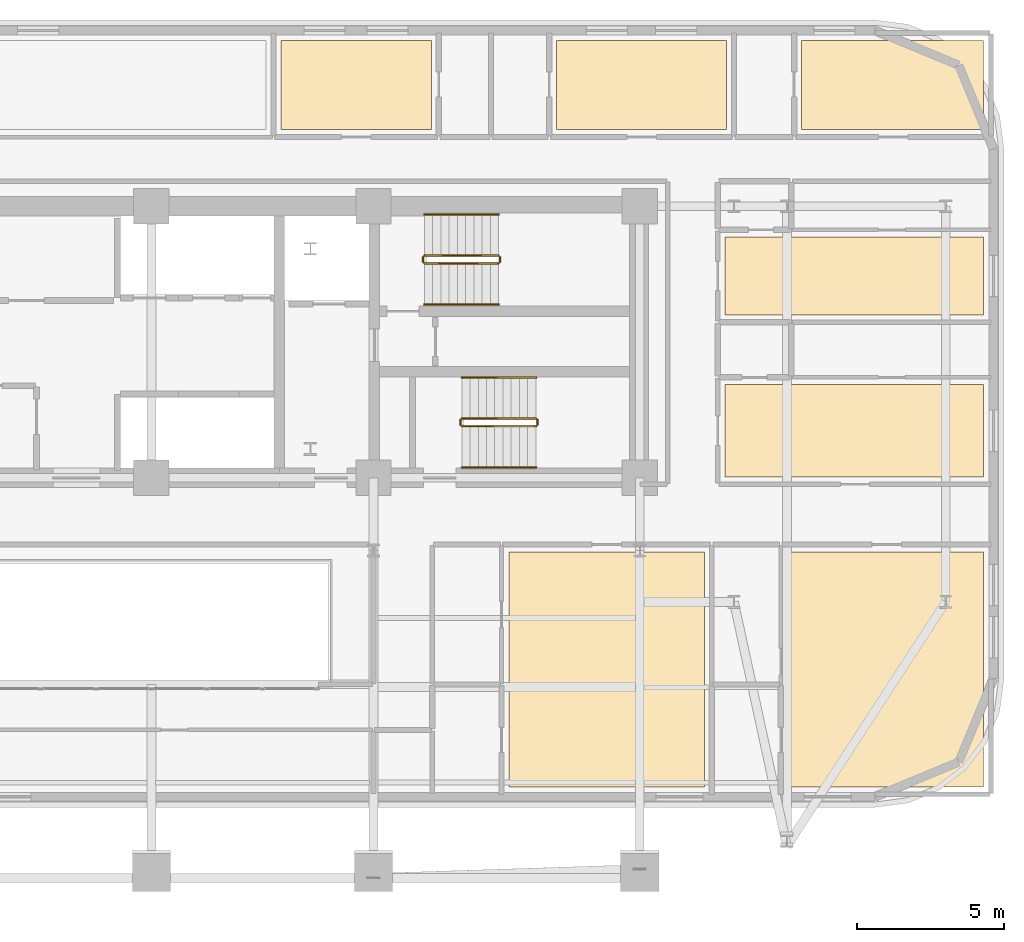
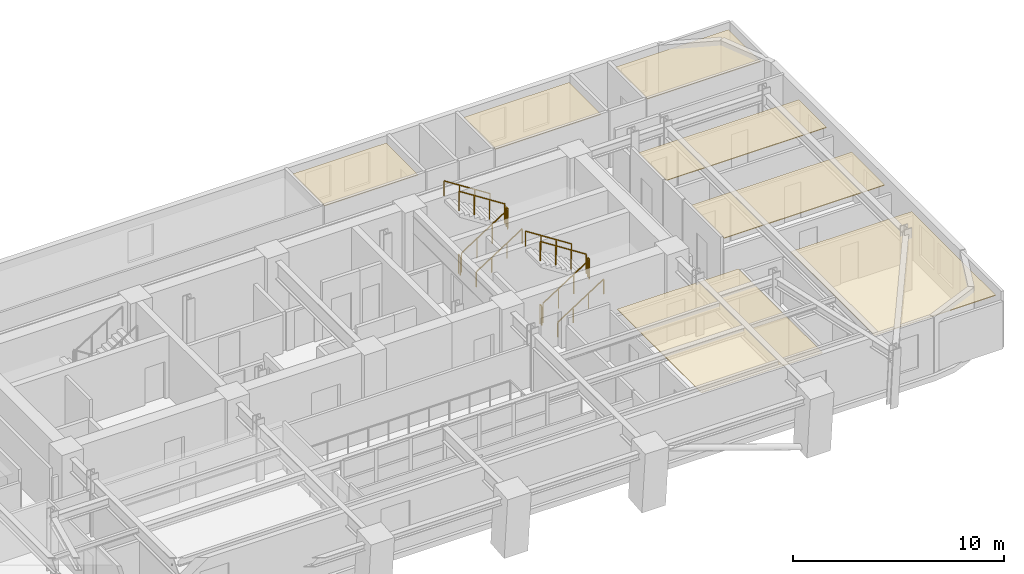
# One storey, part 14 of 14: 12 railings, 7 coverings.
"""IFC4 building model written with IfcOpenShell, lengths in metres."""

from ifc_helpers import new_model, si_unit, direction, frame, origin, origin_2d, place, context, subcontext, project, spatial, polyline, rectangle, outline, extrude, material, layer, layer_set, type_object, element, save


model = new_model("IFC4")

# Units and contexts
model_context = context("Model", 3, precision=1e-05, world=origin(), true_north=direction((0.0, 1.0)))
body_context = subcontext(model_context, "Body", "Model", "MODEL_VIEW")
ifc_project = project(units=[si_unit("LENGTHUNIT", "METRE"), si_unit("AREAUNIT", "SQUARE_METRE"), si_unit("VOLUMEUNIT", "CUBIC_METRE"), si_unit("PLANEANGLEUNIT", "RADIAN"), si_unit("MASSUNIT", "GRAM", prefix="KILO")], contexts=[model_context])

# Site, building, storey
site_placement = place(None, origin())
site = spatial("IfcSite", under=ifc_project, at=site_placement, CompositionType="ELEMENT")
building_placement = place(site_placement, origin())
building = spatial("IfcBuilding", under=site, at=building_placement, Name="Zarnavel Station Tower", CompositionType="ELEMENT")
storey_placement = place(building_placement, frame((0.0, 0.0, 129.300048828125)))
storey = spatial("IfcBuildingStorey", under=building, at=storey_placement, Name="L35", CompositionType="ELEMENT", Elevation=129.300048828125)

# Coverings
ifc_material_1 = material(Name="Perforated Gypsum and Mineral-Wool Acoustic Ceiling", Category="concrete")
ifc_layer = layer(ifc_material_1, 0.0400390625)
ifc_layer_set = layer_set([ifc_layer], Name="COV_CEIL_ACOUSTIC")
covering_type = type_object("IfcCoveringType", Name="COV_CEIL_ACOUSTIC", PredefinedType="CEILING", material=ifc_layer_set)
covering_1_placement = place(storey_placement, frame((0.0, 0.0, 2.9599609375)))
element("IfcCovering", 1, at=covering_1_placement, inside=storey, type_object=covering_type, Name="L35 FNE1R Acoustic Ceiling", PredefinedType="CEILING", context=body_context, shape_type="SweptSolid", body=[
    extrude(outline(polyline([(48.300048828125, 27.85009765625), (57.090087890625, 27.85009765625), (57.090087890625, 30.986083984375), (48.300048828125, 30.986083984375), (48.300048828125, 27.85009765625)])), origin(), (0.0, 0.0, 1.0), 0.0400390625),
])
covering_2_placement = place(storey_placement, frame((0.0, 0.0, 2.9599609375)))
element("IfcCovering", 2, at=covering_2_placement, inside=storey, type_object=covering_type, Name="L35 FNE2R Acoustic Ceiling", PredefinedType="CEILING", context=body_context, shape_type="SweptSolid", body=[
    extrude(outline(polyline([(48.300048828125, 33.35888671875), (57.090087890625, 33.35888671875), (57.090087890625, 36.0), (48.300048828125, 36.0), (48.300048828125, 33.35888671875)])), origin(), (0.0, 0.0, 1.0), 0.0400390625),
])
covering_3_placement = place(storey_placement, frame((0.0, 0.0, 2.9599609375)))
element("IfcCovering", 3, at=covering_3_placement, inside=storey, type_object=covering_type, Name="L35 HN1R Acoustic Ceiling", PredefinedType="CEILING", context=body_context, shape_type="SweptSolid", body=[
    extrude(outline(polyline([(33.199951171875, 39.64990234375), (38.31689453125, 39.64990234375), (38.31689453125, 42.68994140625), (33.199951171875, 42.68994140625), (33.199951171875, 39.64990234375)])), origin(), (0.0, 0.0, 1.0), 0.0400390625),
])
covering_4_placement = place(storey_placement, frame((0.0, 0.0, 2.9599609375)))
element("IfcCovering", 4, at=covering_4_placement, inside=storey, type_object=covering_type, Name="L35 HN2R Acoustic Ceiling", PredefinedType="CEILING", context=body_context, shape_type="SweptSolid", body=[
    extrude(outline(polyline([(42.572998046875, 39.64990234375), (48.35009765625, 39.64990234375), (48.35009765625, 42.68994140625), (42.572998046875, 42.68994140625), (42.572998046875, 39.64990234375)])), origin(), (0.0, 0.0, 1.0), 0.0400390625),
])
covering_5_placement = place(storey_placement, frame((0.0, 0.0, 2.9599609375)))
element("IfcCovering", 5, at=covering_5_placement, inside=storey, type_object=covering_type, Name="L35 HN3R Acoustic Ceiling", PredefinedType="CEILING", context=body_context, shape_type="SweptSolid", body=[
    extrude(outline(polyline([(50.89990234375, 39.64990234375), (57.090087890625, 39.64990234375), (57.090087890625, 42.68994140625), (50.89990234375, 42.68994140625), (50.89990234375, 39.64990234375)])), origin(), (0.0, 0.0, 1.0), 0.0400390625),
])
covering_6_placement = place(storey_placement, frame((0.0, 0.0, 2.9599609375)))
element("IfcCovering", 6, at=covering_6_placement, inside=storey, type_object=covering_type, Name="L35 HE1AR Acoustic Ceiling", PredefinedType="CEILING", context=body_context, shape_type="SweptSolid", body=[
    extrude(outline(polyline([(40.949951171875, 17.31005859375), (47.594970703125, 17.31005859375), (47.594970703125, 25.300048828125), (40.949951171875, 25.300048828125), (40.949951171875, 17.31005859375)])), origin(), (0.0, 0.0, 1.0), 0.0400390625),
])
covering_7_placement = place(storey_placement, frame((0.0, 0.0, 2.9599609375)))
element("IfcCovering", 7, at=covering_7_placement, inside=storey, type_object=covering_type, Name="L35 HE1BR Acoustic Ceiling", PredefinedType="CEILING", context=body_context, shape_type="SweptSolid", body=[
    extrude(outline(polyline([(50.445068359375, 17.31005859375), (57.090087890625, 17.31005859375), (57.090087890625, 25.300048828125), (50.445068359375, 25.300048828125), (50.445068359375, 17.31005859375)])), origin(), (0.0, 0.0, 1.0), 0.0400390625),
])

# Railings
ifc_material_2 = material(Name="Painted Steel S355J2 Balustrade", Category="steel")
railing_type_1 = type_object("IfcRailingType", Name="GR_INT_1150", PredefinedType="GUARDRAIL", material=ifc_material_2)
railing_1_placement = place(storey_placement, frame((38.080078125, 35.110107421875, 0.179931640625)))
element("IfcRailing", 8, at=railing_1_placement, inside=storey, type_object=railing_type_1, Name="L35 ST2 stair guard 1", PredefinedType="GUARDRAIL", context=body_context, shape_type="SweptSolid", body=[
    extrude(rectangle(XDim=0.048095703125, YDim=0.048095703125, at=origin_2d()), frame((0.001708984375, 0.0, 1.126953125), z_axis=(0.841162588446, 0.0, 0.540782303519), x_axis=(0.0, 1.0, 0.0)), (0.0, 0.0, 1.0), 2.991943359375),
    extrude(rectangle(XDim=0.0419921875, YDim=0.0419921875, at=origin_2d()), origin(), (0.0, 0.0, 1.0), 1.101806640625),
    extrude(rectangle(XDim=0.0419921875, YDim=0.0419921875, at=origin_2d()), frame((0.840087890625, 0.0, 0.5400390625)), (0.0, 0.0, 1.0), 1.101806640625),
    extrude(rectangle(XDim=0.0419921875, YDim=0.0419921875, at=origin_2d()), frame((1.679931640625, 0.0, 1.080078125)), (0.0, 0.0, 1.0), 1.101806640625),
    extrude(rectangle(XDim=0.0419921875, YDim=0.0419921875, at=origin_2d()), frame((2.52001953125, 0.0, 1.6201171875)), (0.0, 0.0, 1.0), 1.101806640625),
])
railing_2_placement = place(storey_placement, frame((40.64990234375, 35.159912109375, 1.800048828125)))
element("IfcRailing", 9, at=railing_2_placement, inside=storey, type_object=railing_type_1, Name="L35 ST2 stair guard 2", PredefinedType="GUARDRAIL", context=body_context, shape_type="SweptSolid", body=[
    extrude(rectangle(XDim=0.048095703125, YDim=0.048095703125, at=origin_2d()), frame((0.0, 0.001953125, 1.1259765625), z_axis=(0.0, 1.0, 0.0), x_axis=(-1.0, 0.0, 0.0)), (0.0, 0.0, 1.0), 0.15625),
    extrude(rectangle(XDim=0.0419921875, YDim=0.0419921875, at=origin_2d()), origin(), (0.0, 0.0, 1.0), 1.101806640625),
    extrude(rectangle(XDim=0.0419921875, YDim=0.0419921875, at=origin_2d()), frame((0.0, 0.16015625, 0.0)), (0.0, 0.0, 1.0), 1.101806640625),
])
railing_3_placement = place(storey_placement, frame((40.60009765625, 35.3701171875, 1.97998046875)))
element("IfcRailing", 10, at=railing_3_placement, inside=storey, type_object=railing_type_1, Name="L35 ST2 stair guard 3", PredefinedType="GUARDRAIL", context=body_context, shape_type="SweptSolid", body=[
    extrude(rectangle(XDim=0.048095703125, YDim=0.048095703125, at=origin_2d()), frame((-0.001708984375, 0.0, 1.126953125), z_axis=(-0.841199657755, 0.0, 0.540724639528), x_axis=(0.0, -1.0, 0.0)), (0.0, 0.0, 1.0), 2.99169921875),
    extrude(rectangle(XDim=0.0419921875, YDim=0.0419921875, at=origin_2d()), origin(), (0.0, 0.0, 1.0), 1.101806640625),
    extrude(rectangle(XDim=0.0419921875, YDim=0.0419921875, at=origin_2d()), frame((-0.840087890625, 0.0, 0.5400390625)), (0.0, 0.0, 1.0), 1.101806640625),
    extrude(rectangle(XDim=0.0419921875, YDim=0.0419921875, at=origin_2d()), frame((-1.679931640625, 0.0, 1.079833984375)), (0.0, 0.0, 1.0), 1.101806640625),
    extrude(rectangle(XDim=0.0419921875, YDim=0.0419921875, at=origin_2d()), frame((-2.52001953125, 0.0, 1.619873046875)), (0.0, 0.0, 1.0), 1.101806640625),
])
railing_4_placement = place(storey_placement, frame((38.030029296875, 35.159912109375, 0.0)))
element("IfcRailing", 11, at=railing_4_placement, inside=storey, type_object=railing_type_1, Name="L35 ST2 stair guard 4", PredefinedType="GUARDRAIL", context=body_context, shape_type="SweptSolid", body=[
    extrude(rectangle(XDim=0.048095703125, YDim=0.048095703125, at=origin_2d()), frame((0.0, 0.001953125, 1.1259765625), z_axis=(0.0, 1.0, 0.0), x_axis=(-1.0, 0.0, 0.0)), (0.0, 0.0, 1.0), 0.15625),
    extrude(rectangle(XDim=0.0419921875, YDim=0.0419921875, at=origin_2d()), origin(), (0.0, 0.0, 1.0), 1.101806640625),
    extrude(rectangle(XDim=0.0419921875, YDim=0.0419921875, at=origin_2d()), frame((0.0, 0.16015625, 0.0)), (0.0, 0.0, 1.0), 1.101806640625),
])
railing_5_placement = place(storey_placement, frame((39.35009765625, 29.570068359375, 0.179931640625)))
element("IfcRailing", 12, at=railing_5_placement, inside=storey, type_object=railing_type_1, Name="L35 ST3 stair guard 1", PredefinedType="GUARDRAIL", context=body_context, shape_type="SweptSolid", body=[
    extrude(rectangle(XDim=0.048095703125, YDim=0.048095703125, at=origin_2d()), frame((0.001708984375, 0.0, 1.126953125), z_axis=(0.841162588446, 0.0, 0.540782303519), x_axis=(0.0, 1.0, 0.0)), (0.0, 0.0, 1.0), 2.991943359375),
    extrude(rectangle(XDim=0.0419921875, YDim=0.0419921875, at=origin_2d()), origin(), (0.0, 0.0, 1.0), 1.101806640625),
    extrude(rectangle(XDim=0.0419921875, YDim=0.0419921875, at=origin_2d()), frame((0.840087890625, 0.0, 0.5400390625)), (0.0, 0.0, 1.0), 1.101806640625),
    extrude(rectangle(XDim=0.0419921875, YDim=0.0419921875, at=origin_2d()), frame((1.679931640625, 0.0, 1.080078125)), (0.0, 0.0, 1.0), 1.101806640625),
    extrude(rectangle(XDim=0.0419921875, YDim=0.0419921875, at=origin_2d()), frame((2.52001953125, 0.0, 1.6201171875)), (0.0, 0.0, 1.0), 1.101806640625),
])
railing_6_placement = place(storey_placement, frame((41.919921875, 29.6201171875, 1.800048828125)))
element("IfcRailing", 13, at=railing_6_placement, inside=storey, type_object=railing_type_1, Name="L35 ST3 stair guard 2", PredefinedType="GUARDRAIL", context=body_context, shape_type="SweptSolid", body=[
    extrude(rectangle(XDim=0.048095703125, YDim=0.048095703125, at=origin_2d()), frame((0.0, 0.001953125, 1.1259765625), z_axis=(0.0, 1.0, 0.0), x_axis=(-1.0, 0.0, 0.0)), (0.0, 0.0, 1.0), 0.156005859375),
    extrude(rectangle(XDim=0.0419921875, YDim=0.0419921875, at=origin_2d()), origin(), (0.0, 0.0, 1.0), 1.101806640625),
    extrude(rectangle(XDim=0.0419921875, YDim=0.0419921875, at=origin_2d()), frame((0.0, 0.159912109375, 0.0)), (0.0, 0.0, 1.0), 1.101806640625),
])
railing_7_placement = place(storey_placement, frame((41.8701171875, 29.830078125, 1.97998046875)))
element("IfcRailing", 14, at=railing_7_placement, inside=storey, type_object=railing_type_1, Name="L35 ST3 stair guard 3", PredefinedType="GUARDRAIL", context=body_context, shape_type="SweptSolid", body=[
    extrude(rectangle(XDim=0.048095703125, YDim=0.048095703125, at=origin_2d()), frame((-0.001708984375, 0.0, 1.126953125), z_axis=(-0.841199657755, 0.0, 0.540724639528), x_axis=(0.0, -1.0, 0.0)), (0.0, 0.0, 1.0), 2.99169921875),
    extrude(rectangle(XDim=0.0419921875, YDim=0.0419921875, at=origin_2d()), origin(), (0.0, 0.0, 1.0), 1.101806640625),
    extrude(rectangle(XDim=0.0419921875, YDim=0.0419921875, at=origin_2d()), frame((-0.840087890625, 0.0, 0.5400390625)), (0.0, 0.0, 1.0), 1.101806640625),
    extrude(rectangle(XDim=0.0419921875, YDim=0.0419921875, at=origin_2d()), frame((-1.679931640625, 0.0, 1.079833984375)), (0.0, 0.0, 1.0), 1.101806640625),
    extrude(rectangle(XDim=0.0419921875, YDim=0.0419921875, at=origin_2d()), frame((-2.52001953125, 0.0, 1.619873046875)), (0.0, 0.0, 1.0), 1.101806640625),
])
railing_8_placement = place(storey_placement, frame((39.300048828125, 29.6201171875, 0.0)))
element("IfcRailing", 15, at=railing_8_placement, inside=storey, type_object=railing_type_1, Name="L35 ST3 stair guard 4", PredefinedType="GUARDRAIL", context=body_context, shape_type="SweptSolid", body=[
    extrude(rectangle(XDim=0.048095703125, YDim=0.048095703125, at=origin_2d()), frame((0.0, 0.001953125, 1.1259765625), z_axis=(0.0, 1.0, 0.0), x_axis=(-1.0, 0.0, 0.0)), (0.0, 0.0, 1.0), 0.156005859375),
    extrude(rectangle(XDim=0.0419921875, YDim=0.0419921875, at=origin_2d()), origin(), (0.0, 0.0, 1.0), 1.101806640625),
    extrude(rectangle(XDim=0.0419921875, YDim=0.0419921875, at=origin_2d()), frame((0.0, 0.159912109375, 0.0)), (0.0, 0.0, 1.0), 1.101806640625),
])
ifc_material_3 = material(Name="Brushed Stainless Steel S355J2 Handrail", Category="steel")
railing_type_2 = type_object("IfcRailingType", Name="HR_STAIR_900", PredefinedType="HANDRAIL", material=ifc_material_3)
railing_9_placement = place(storey_placement, frame((38.080078125, 33.7099609375, 0.179931640625)))
element("IfcRailing", 16, at=railing_9_placement, inside=storey, type_object=railing_type_2, Name="L35 ST2 stair handrail 1", PredefinedType="HANDRAIL", context=body_context, shape_type="SweptSolid", body=[
    extrude(rectangle(XDim=0.048095703125, YDim=0.048095703125, at=origin_2d()), frame((0.001708984375, 0.0, 0.876953125), z_axis=(0.841162588446, 0.0, 0.540782303519), x_axis=(0.0, 1.0, 0.0)), (0.0, 0.0, 1.0), 2.991943359375),
    extrude(rectangle(XDim=0.0419921875, YDim=0.0419921875, at=origin_2d()), origin(), (0.0, 0.0, 1.0), 0.851806640625),
    extrude(rectangle(XDim=0.0419921875, YDim=0.0419921875, at=origin_2d()), frame((0.840087890625, 0.0, 0.5400390625)), (0.0, 0.0, 1.0), 0.851806640625),
    extrude(rectangle(XDim=0.0419921875, YDim=0.0419921875, at=origin_2d()), frame((1.679931640625, 0.0, 1.080078125)), (0.0, 0.0, 1.0), 0.851806640625),
    extrude(rectangle(XDim=0.0419921875, YDim=0.0419921875, at=origin_2d()), frame((2.52001953125, 0.0, 1.6201171875)), (0.0, 0.0, 1.0), 0.851806640625),
])
railing_10_placement = place(storey_placement, frame((40.60009765625, 36.77001953125, 1.97998046875)))
element("IfcRailing", 17, at=railing_10_placement, inside=storey, type_object=railing_type_2, Name="L35 ST2 stair handrail 2", PredefinedType="HANDRAIL", context=body_context, shape_type="SweptSolid", body=[
    extrude(rectangle(XDim=0.048095703125, YDim=0.048095703125, at=origin_2d()), frame((-0.001708984375, 0.0, 0.876953125), z_axis=(-0.841199657755, 0.0, 0.540724639528), x_axis=(0.0, -1.0, 0.0)), (0.0, 0.0, 1.0), 2.99169921875),
    extrude(rectangle(XDim=0.0419921875, YDim=0.0419921875, at=origin_2d()), origin(), (0.0, 0.0, 1.0), 0.851806640625),
    extrude(rectangle(XDim=0.0419921875, YDim=0.0419921875, at=origin_2d()), frame((-0.840087890625, 0.0, 0.5400390625)), (0.0, 0.0, 1.0), 0.851806640625),
    extrude(rectangle(XDim=0.0419921875, YDim=0.0419921875, at=origin_2d()), frame((-1.679931640625, 0.0, 1.079833984375)), (0.0, 0.0, 1.0), 0.851806640625),
    extrude(rectangle(XDim=0.0419921875, YDim=0.0419921875, at=origin_2d()), frame((-2.52001953125, 0.0, 1.619873046875)), (0.0, 0.0, 1.0), 0.851806640625),
])
railing_11_placement = place(storey_placement, frame((39.35009765625, 28.169921875, 0.179931640625)))
element("IfcRailing", 18, at=railing_11_placement, inside=storey, type_object=railing_type_2, Name="L35 ST3 stair handrail 1", PredefinedType="HANDRAIL", context=body_context, shape_type="SweptSolid", body=[
    extrude(rectangle(XDim=0.048095703125, YDim=0.048095703125, at=origin_2d()), frame((0.001708984375, 0.0, 0.876953125), z_axis=(0.841162588446, 0.0, 0.540782303519), x_axis=(0.0, 1.0, 0.0)), (0.0, 0.0, 1.0), 2.991943359375),
    extrude(rectangle(XDim=0.0419921875, YDim=0.0419921875, at=origin_2d()), origin(), (0.0, 0.0, 1.0), 0.851806640625),
    extrude(rectangle(XDim=0.0419921875, YDim=0.0419921875, at=origin_2d()), frame((0.840087890625, 0.0, 0.5400390625)), (0.0, 0.0, 1.0), 0.851806640625),
    extrude(rectangle(XDim=0.0419921875, YDim=0.0419921875, at=origin_2d()), frame((1.679931640625, 0.0, 1.080078125)), (0.0, 0.0, 1.0), 0.851806640625),
    extrude(rectangle(XDim=0.0419921875, YDim=0.0419921875, at=origin_2d()), frame((2.52001953125, 0.0, 1.6201171875)), (0.0, 0.0, 1.0), 0.851806640625),
])
railing_12_placement = place(storey_placement, frame((41.8701171875, 31.22998046875, 1.97998046875)))
element("IfcRailing", 19, at=railing_12_placement, inside=storey, type_object=railing_type_2, Name="L35 ST3 stair handrail 2", PredefinedType="HANDRAIL", context=body_context, shape_type="SweptSolid", body=[
    extrude(rectangle(XDim=0.048095703125, YDim=0.048095703125, at=origin_2d()), frame((-0.001708984375, 0.0, 0.876953125), z_axis=(-0.841199657755, 0.0, 0.540724639528), x_axis=(0.0, -1.0, 0.0)), (0.0, 0.0, 1.0), 2.99169921875),
    extrude(rectangle(XDim=0.0419921875, YDim=0.0419921875, at=origin_2d()), origin(), (0.0, 0.0, 1.0), 0.851806640625),
    extrude(rectangle(XDim=0.0419921875, YDim=0.0419921875, at=origin_2d()), frame((-0.840087890625, 0.0, 0.5400390625)), (0.0, 0.0, 1.0), 0.851806640625),
    extrude(rectangle(XDim=0.0419921875, YDim=0.0419921875, at=origin_2d()), frame((-1.679931640625, 0.0, 1.079833984375)), (0.0, 0.0, 1.0), 0.851806640625),
    extrude(rectangle(XDim=0.0419921875, YDim=0.0419921875, at=origin_2d()), frame((-2.52001953125, 0.0, 1.619873046875)), (0.0, 0.0, 1.0), 0.851806640625),
])

save(model, "model.ifc")
